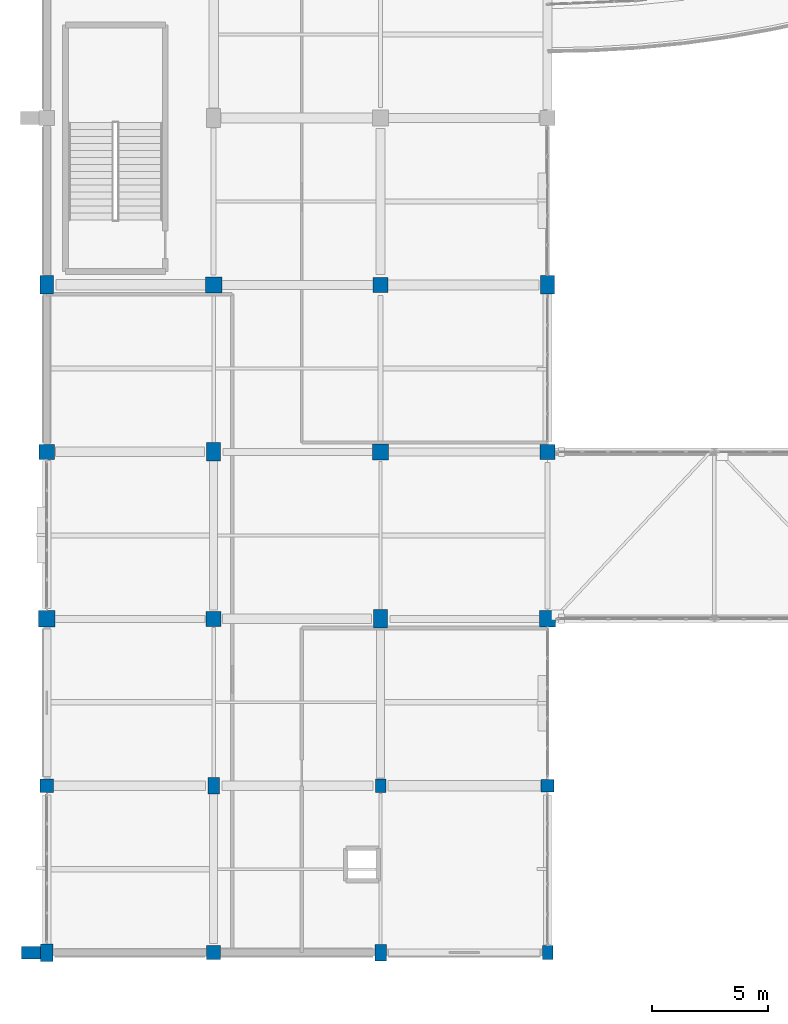
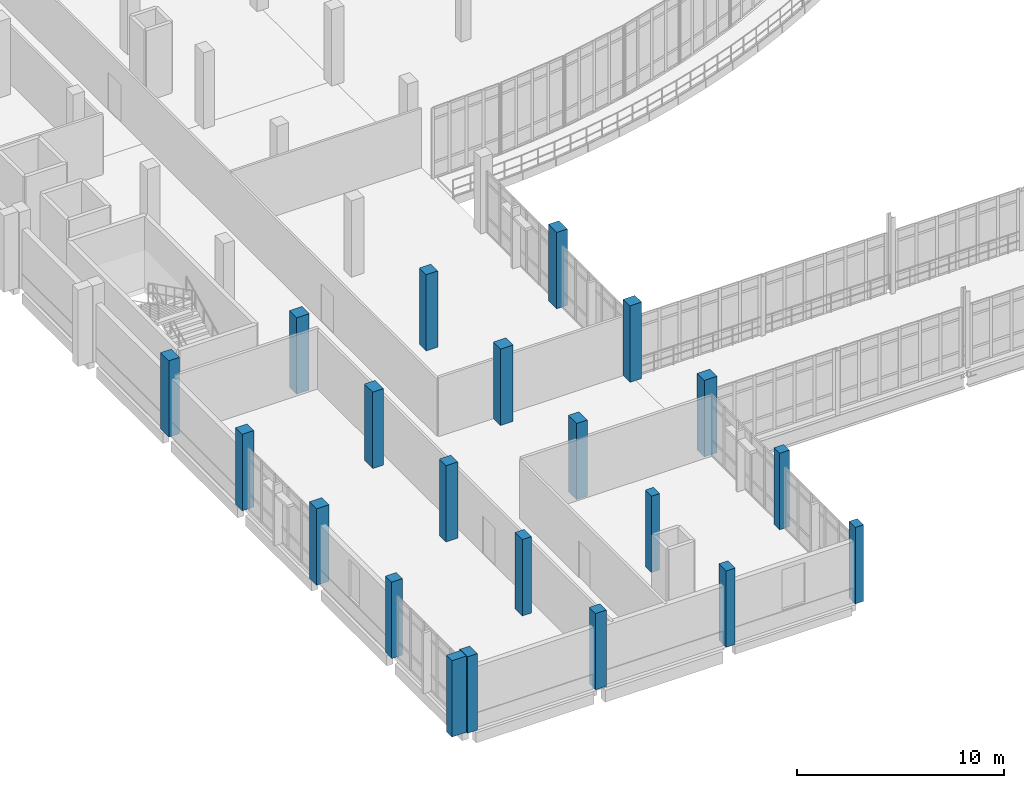
# One storey, part 1 of 124: 21 columns.
"""IFC4 building model written with IfcOpenShell, lengths in metres."""

from ifc_helpers import new_model, si_unit, direction, frame, origin, origin_2d, place, context, subcontext, project, spatial, rectangle, extrude, material, material_profile, profile_set, type_object, element, save


model = new_model("IFC4")

# Units and contexts
model_context = context("Model", 3, precision=1e-05, world=origin(), true_north=direction((0.0, 1.0)))
body_context = subcontext(model_context, "Body", "Model", "MODEL_VIEW")
ifc_project = project(units=[si_unit("LENGTHUNIT", "METRE"), si_unit("AREAUNIT", "SQUARE_METRE"), si_unit("VOLUMEUNIT", "CUBIC_METRE"), si_unit("PLANEANGLEUNIT", "RADIAN"), si_unit("MASSUNIT", "GRAM", prefix="KILO")], contexts=[model_context])

# Site, building, storey
site_placement = place(None, origin())
site = spatial("IfcSite", under=ifc_project, at=site_placement, CompositionType="ELEMENT")
building_placement = place(site_placement, origin())
building = spatial("IfcBuilding", under=site, at=building_placement, Name="Kalluvel Institute of Natural Sciences", CompositionType="ELEMENT")
storey_placement = place(building_placement, frame((0.0, 0.0, 9.89990234375)))
storey = spatial("IfcBuildingStorey", under=building, at=storey_placement, Name="L02", CompositionType="ELEMENT", Elevation=9.89990234375)

# Columns
ifc_material_1 = material(Name="Concrete M40", Category="concrete")
ifc_material_profile_1 = material_profile(ifc_material_1, rectangle(XDim=0.449951171875, YDim=0.60009765625, at=origin_2d()), Name="RC 450x600")
ifc_profile_set_1 = profile_set([ifc_material_profile_1], Name="Concrete M40")
column_type_1 = type_object("IfcColumnType", Name="COL-RC450x600", PredefinedType="COLUMN", material=ifc_profile_set_1)
for number, where, z_axis, x_axis, name in (
    (1, (28.39990234375, 21.199951171875, 0.0), (0.0, 0.0, 1.0), (1.0, 0.0, 0.0), "L02 structural column COL-L02-X284-Y212"),
    (2, (35.60009765625, 14.0, 0.0), (0.0, 0.0, 1.0), (1.0, 0.0, 0.0), "L02 structural column COL-L02-X356-Y140"),
):
    element("IfcColumn", number, at=place(storey_placement, frame(where, z_axis=z_axis, x_axis=x_axis)), inside=storey, type_object=column_type_1, Name=name, PredefinedType="COLUMN", context=body_context, shape_type="SweptSolid", body=[
        extrude(rectangle(XDim=0.449951171875, YDim=0.60009765625, at=origin_2d()), origin(), (0.0, 0.0, 1.0), 4.5),
    ])
ifc_material_profile_2 = material_profile(ifc_material_1, rectangle(XDim=0.5, YDim=0.699951171875, at=origin_2d()), Name="RC 500x700")
ifc_profile_set_2 = profile_set([ifc_material_profile_2], Name="Concrete M40")
column_type_2 = type_object("IfcColumnType", Name="COL-RC500x700", PredefinedType="COLUMN", material=ifc_profile_set_2)
for number, where, z_axis, x_axis, name in (
    (3, (21.199951171875, 21.199951171875, 0.0), (0.0, 0.0, 1.0), (1.0, 0.0, 0.0), "L02 structural column COL-L02-X212-Y212"),
    (4, (28.39990234375, 14.0, 0.0), (0.0, 0.0, 1.0), (1.0, 0.0, 0.0), "L02 structural column COL-L02-X284-Y140"),
):
    element("IfcColumn", number, at=place(storey_placement, frame(where, z_axis=z_axis, x_axis=x_axis)), inside=storey, type_object=column_type_2, Name=name, PredefinedType="COLUMN", context=body_context, shape_type="SweptSolid", body=[
        extrude(rectangle(XDim=0.5, YDim=0.699951171875, at=origin_2d()), origin(), (0.0, 0.0, 1.0), 4.5),
    ])
ifc_material_profile_3 = material_profile(ifc_material_1, rectangle(XDim=0.550048828125, YDim=0.550048828125, at=origin_2d()), Name="RC 550x550")
ifc_profile_set_3 = profile_set([ifc_material_profile_3], Name="Concrete M40")
column_type_3 = type_object("IfcColumnType", Name="COL-RC550", PredefinedType="COLUMN", material=ifc_profile_set_3)
column_1_placement = place(storey_placement, frame((35.60009765625, 21.199951171875, 0.0), z_axis=(0.0, 0.0, 1.0), x_axis=(1.0, 0.0, 0.0)))
element("IfcColumn", 5, at=column_1_placement, inside=storey, type_object=column_type_3, Name="L02 structural column COL-L02-X356-Y212", PredefinedType="COLUMN", context=body_context, shape_type="SweptSolid", body=[
    extrude(rectangle(XDim=0.550048828125, YDim=0.550048828125, at=origin_2d()), origin(), (0.0, 0.0, 1.0), 4.5),
])
ifc_material_profile_4 = material_profile(ifc_material_1, rectangle(XDim=0.550048828125, YDim=0.75, at=origin_2d()), Name="RC 550x750")
ifc_profile_set_4 = profile_set([ifc_material_profile_4], Name="Concrete M40")
column_type_4 = type_object("IfcColumnType", Name="COL-RC550x750", PredefinedType="COLUMN", material=ifc_profile_set_4)
column_2_placement = place(storey_placement, frame((14.0, 14.0, 0.0), z_axis=(0.0, 0.0, 1.0), x_axis=(1.0, 0.0, 0.0)))
element("IfcColumn", 6, at=column_2_placement, inside=storey, type_object=column_type_4, Name="L02 structural column COL-L02-X140-Y140", PredefinedType="COLUMN", context=body_context, shape_type="SweptSolid", body=[
    extrude(rectangle(XDim=0.550048828125, YDim=0.75, at=origin_2d()), origin(), (0.0, 0.0, 1.0), 4.5),
])
ifc_material_profile_5 = material_profile(ifc_material_1, rectangle(XDim=0.60009765625, YDim=0.60009765625, at=origin_2d()), Name="RC 600x600")
ifc_profile_set_5 = profile_set([ifc_material_profile_5], Name="Concrete M40")
column_type_5 = type_object("IfcColumnType", Name="COL-RC600", PredefinedType="COLUMN", material=ifc_profile_set_5)
for number, where, z_axis, x_axis, name in (
    (7, (14.0, 21.199951171875, 0.0), (0.0, 0.0, 1.0), (1.0, 0.0, 0.0), "L02 structural column COL-L02-X140-Y212"),
    (8, (21.199951171875, 14.0, 0.0), (0.0, 0.0, 1.0), (1.0, 0.0, 0.0), "L02 structural column COL-L02-X212-Y140"),
):
    element("IfcColumn", number, at=place(storey_placement, frame(where, z_axis=z_axis, x_axis=x_axis)), inside=storey, type_object=column_type_5, Name=name, PredefinedType="COLUMN", context=body_context, shape_type="SweptSolid", body=[
        extrude(rectangle(XDim=0.60009765625, YDim=0.60009765625, at=origin_2d()), origin(), (0.0, 0.0, 1.0), 4.5),
    ])
ifc_material_2 = material(Name="Concrete M50", Category="concrete")
ifc_material_profile_6 = material_profile(ifc_material_2, rectangle(XDim=0.60009765625, YDim=0.800048828125, at=origin_2d()), Name="RC 600x800")
ifc_profile_set_6 = profile_set([ifc_material_profile_6], Name="Concrete M50")
column_type_6 = type_object("IfcColumnType", Name="COL-RC600x800", PredefinedType="COLUMN", material=ifc_profile_set_6)
for number, where, z_axis, x_axis, name in (
    (9, (14.0, 42.800048828125, 0.0), (0.0, 0.0, 1.0), (1.0, 0.0, 0.0), "L02 structural column COL-L02-X140-Y428"),
    (10, (21.199951171875, 35.60009765625, 0.0), (0.0, 0.0, 1.0), (1.0, 0.0, 0.0), "L02 structural column COL-L02-X212-Y356"),
    (11, (28.39990234375, 28.39990234375, 0.0), (0.0, 0.0, 1.0), (1.0, 0.0, 0.0), "L02 structural column COL-L02-X284-Y284"),
    (12, (35.60009765625, 42.800048828125, 0.0), (0.0, 0.0, 1.0), (1.0, 0.0, 0.0), "L02 structural column COL-L02-X356-Y428"),
):
    element("IfcColumn", number, at=place(storey_placement, frame(where, z_axis=z_axis, x_axis=x_axis)), inside=storey, type_object=column_type_6, Name=name, PredefinedType="COLUMN", context=body_context, shape_type="SweptSolid", body=[
        extrude(rectangle(XDim=0.60009765625, YDim=0.800048828125, at=origin_2d()), origin(), (0.0, 0.0, 1.0), 4.5),
    ])
ifc_material_profile_7 = material_profile(ifc_material_1, rectangle(XDim=0.64990234375, YDim=0.64990234375, at=origin_2d()), Name="RC 650x650")
ifc_profile_set_7 = profile_set([ifc_material_profile_7], Name="Concrete M40")
column_type_7 = type_object("IfcColumnType", Name="COL-RC650", PredefinedType="COLUMN", material=ifc_profile_set_7)
for number, where, z_axis, x_axis, name in (
    (13, (14.0, 35.60009765625, 0.0), (0.0, 0.0, 1.0), (1.0, 0.0, 0.0), "L02 structural column COL-L02-X140-Y356"),
    (14, (21.199951171875, 28.39990234375, 0.0), (0.0, 0.0, 1.0), (1.0, 0.0, 0.0), "L02 structural column COL-L02-X212-Y284"),
    (15, (28.39990234375, 42.800048828125, 0.0), (0.0, 0.0, 1.0), (1.0, 0.0, 0.0), "L02 structural column COL-L02-X284-Y428"),
    (16, (35.60009765625, 35.60009765625, 0.0), (0.0, 0.0, 1.0), (1.0, 0.0, 0.0), "L02 structural column COL-L02-X356-Y356"),
):
    element("IfcColumn", number, at=place(storey_placement, frame(where, z_axis=z_axis, x_axis=x_axis)), inside=storey, type_object=column_type_7, Name=name, PredefinedType="COLUMN", context=body_context, shape_type="SweptSolid", body=[
        extrude(rectangle(XDim=0.64990234375, YDim=0.64990234375, at=origin_2d()), origin(), (0.0, 0.0, 1.0), 4.5),
    ])
ifc_material_profile_8 = material_profile(ifc_material_1, rectangle(XDim=0.699951171875, YDim=0.699951171875, at=origin_2d()), Name="RC 700x700")
ifc_profile_set_8 = profile_set([ifc_material_profile_8], Name="Concrete M40")
column_type_8 = type_object("IfcColumnType", Name="COL-RC700", PredefinedType="COLUMN", material=ifc_profile_set_8)
for number, where, z_axis, x_axis, name in (
    (17, (14.0, 28.39990234375, 0.0), (0.0, 0.0, 1.0), (1.0, 0.0, 0.0), "L02 structural column COL-L02-X140-Y284"),
    (18, (21.199951171875, 42.800048828125, 0.0), (0.0, 0.0, 1.0), (1.0, 0.0, 0.0), "L02 structural column COL-L02-X212-Y428"),
    (19, (28.39990234375, 35.60009765625, 0.0), (0.0, 0.0, 1.0), (1.0, 0.0, 0.0), "L02 structural column COL-L02-X284-Y356"),
    (20, (35.60009765625, 28.39990234375, 0.0), (0.0, 0.0, 1.0), (1.0, 0.0, 0.0), "L02 structural column COL-L02-X356-Y284"),
):
    element("IfcColumn", number, at=place(storey_placement, frame(where, z_axis=z_axis, x_axis=x_axis)), inside=storey, type_object=column_type_8, Name=name, PredefinedType="COLUMN", context=body_context, shape_type="SweptSolid", body=[
        extrude(rectangle(XDim=0.699951171875, YDim=0.699951171875, at=origin_2d()), origin(), (0.0, 0.0, 1.0), 4.5),
    ])
ifc_material_3 = material(Name="Sadarahalli Granite Precast Concrete M45", Category="masonry")
ifc_material_profile_9 = material_profile(ifc_material_3, rectangle(XDim=0.550048828125, YDim=0.800048828125, at=origin_2d()), Name="PIL 550x800")
ifc_profile_set_9 = profile_set([ifc_material_profile_9], Name="Sadarahalli Granite Precast Concrete M45")
column_type_9 = type_object("IfcColumnType", Name="PIL-550x800", PredefinedType="PILASTER", material=ifc_profile_set_9)
column_3_placement = place(storey_placement, frame((13.322021484375, 14.0, 0.0), z_axis=(0.0, 0.0, 1.0), x_axis=(0.0, 1.0, 0.0)))
element("IfcColumn", 21, at=column_3_placement, inside=storey, type_object=column_type_9, Name="L02 Gothic stepped Sadarahalli granite buttress 74", PredefinedType="PILASTER", context=body_context, shape_type="SweptSolid", body=[
    extrude(rectangle(XDim=0.550048828125, YDim=0.800048828125, at=origin_2d()), origin(), (0.0, 0.0, 1.0), 4.5),
])

save(model, "model.ifc")
